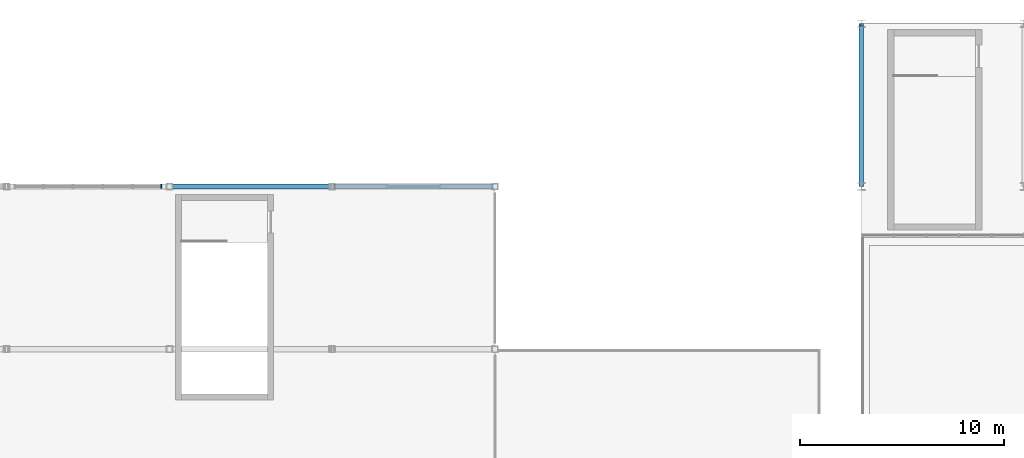
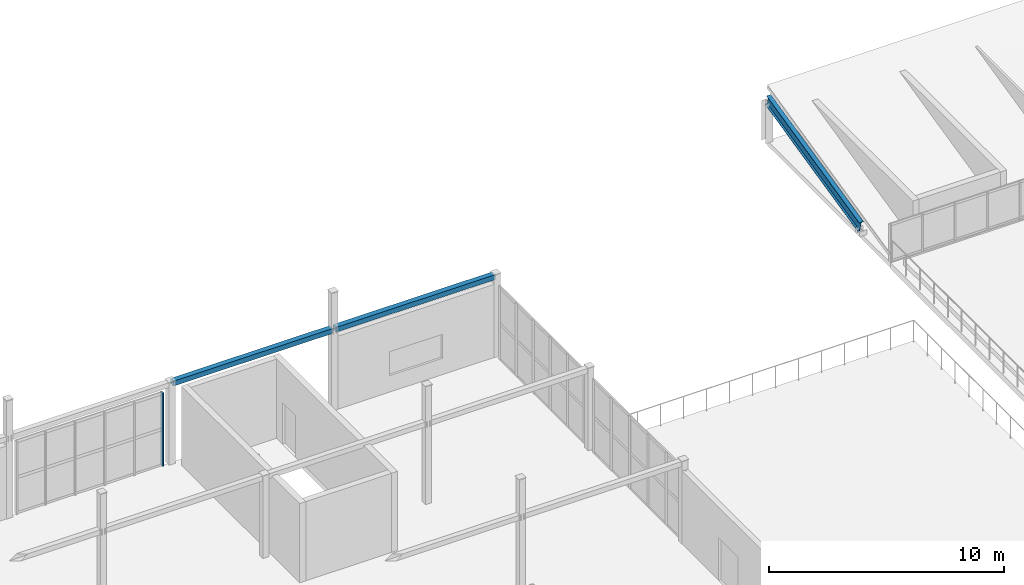
# One storey, part 35 of 83: 3 members, 1 beam, 1 element without a shape of its own.
"""IFC4 building model written with IfcOpenShell, lengths in metres."""

from ifc_helpers import new_model, si_unit, direction, frame, origin, origin_2d, place, context, subcontext, project, spatial, rectangle, hollow_rectangle, i_section, extrude, material, material_profile, profile_set, type_object, element, aggregate, save


model = new_model("IFC4")

# Units and contexts
model_context = context("Model", 3, precision=1e-05, world=origin(), true_north=direction((0.0, 1.0)))
body_context = subcontext(model_context, "Body", "Model", "MODEL_VIEW")
ifc_project = project(units=[si_unit("LENGTHUNIT", "METRE"), si_unit("AREAUNIT", "SQUARE_METRE"), si_unit("VOLUMEUNIT", "CUBIC_METRE"), si_unit("PLANEANGLEUNIT", "RADIAN"), si_unit("MASSUNIT", "GRAM", prefix="KILO")], contexts=[model_context])

# Site, building, storey
site_placement = place(None, origin())
site = spatial("IfcSite", under=ifc_project, at=site_placement, CompositionType="ELEMENT")
building_placement = place(site_placement, origin())
building = spatial("IfcBuilding", under=site, at=building_placement, Name="Drelvath Fold Interchange", CompositionType="ELEMENT")
storey_placement = place(building_placement, frame((0.0, 0.0, 11.199951171875)))
storey = spatial("IfcBuildingStorey", under=building, at=storey_placement, Name="L02", CompositionType="ELEMENT", Elevation=11.199951171875)

# Beam
ifc_material_1 = material(Name="Steel ASTM A992 Grade 50", Category="steel")
ifc_material_profile_1 = material_profile(ifc_material_1, i_section(OverallWidth=0.2099609375, OverallDepth=0.537109375, WebThickness=0.010986328125, FlangeThickness=0.017333984375, at=origin_2d()), Name="W21X68")
ifc_profile_set_1 = profile_set([ifc_material_profile_1], Name="Steel ASTM A992 Grade 50")
beam_type = type_object("IfcBeamType", Name="BM-W21X68", PredefinedType="SPANDREL", material=ifc_profile_set_1)
beam_placement = place(storey_placement, frame((102.0, 99.050048828125, 0.35009765625), z_axis=(0.0, 0.974471835255, 0.224509782181), x_axis=(-1.0, 0.0, 0.0)))
element("IfcBeam", 1, at=beam_placement, inside=storey, type_object=beam_type, Name="Cycle hub sawtooth rafter", PredefinedType="SPANDREL", context=body_context, shape_type="SweptSolid", body=[
    extrude(i_section(OverallWidth=0.2099609375, OverallDepth=0.537109375, WebThickness=0.010986328125, FlangeThickness=0.017333984375, at=origin_2d()), origin(), (0.0, 0.0, 1.0), 8.10693359375),
])

# Members
ifc_material_2 = material(Name="Steel ASTM A500 Grade C", Category="steel")
ifc_material_profile_2 = material_profile(ifc_material_2, hollow_rectangle(XDim=0.25390625, YDim=0.25390625, WallThickness=0.01171875, at=origin_2d()), Name="HSS10X10X1/2")
ifc_profile_set_2 = profile_set([ifc_material_profile_2], Name="Steel ASTM A500 Grade C")
member_type_1 = type_object("IfcMemberType", Name="FP-CHD254", PredefinedType="CHORD", material=ifc_profile_set_2)
for number, where, z_axis, x_axis, name in (
    (2, (68.080078125, 99.0, 4.150146484375), (1.0, 0.0, 0.0), (0.0, 1.0, 0.0), "L02 Folded-plate roof truss tie chord FP-CHD254"),
    (3, (76.080078125, 99.0, 4.150146484375), (1.0, 0.0, 0.0), (0.0, 1.0, 0.0), "L02 Folded-plate roof truss tie chord FP-CHD254"),
):
    element("IfcMember", number, at=place(storey_placement, frame(where, z_axis=z_axis, x_axis=x_axis)), inside=storey, type_object=member_type_1, Name=name, PredefinedType="CHORD", context=body_context, shape_type="SweptSolid", body=[
        extrude(hollow_rectangle(XDim=0.25390625, YDim=0.25390625, WallThickness=0.01171875, at=origin_2d()), origin(), (0.0, 0.0, 1.0), 7.83984375),
    ])

# Curtain wall, member
ifc_material_3 = material(Name="Anodized Aluminium 6063-T6", Category="aluminium")
curtain_wall_type = type_object("IfcCurtainWallType", Name="CW-CON-440", PredefinedType="USERDEFINED", material=ifc_material_3)
curtain_wall_placement = place(storey_placement, origin())
curtain_wall = element("IfcCurtainWall", 4, at=curtain_wall_placement, inside=storey, type_object=curtain_wall_type, Name="Curtain wall CW-V1-L02-N60", ObjectType="UNITISED CURTAIN WALL", PredefinedType="USERDEFINED")
ifc_material_profile_3 = material_profile(ifc_material_3, rectangle(XDim=0.06494140625, YDim=0.18994140625, at=origin_2d()), Name="AL-M 65x190")
ifc_profile_set_3 = profile_set([ifc_material_profile_3], Name="Anodized Aluminium 6063-T6")
member_type_2 = type_object("IfcMemberType", Name="ML-190", PredefinedType="MULLION", material=ifc_profile_set_3)
member_placement = place(storey_placement, frame((67.60009765625, 99.0, 0.0), z_axis=(0.0, 0.0, 1.0), x_axis=(1.0, 0.0, 0.0)))
member = element("IfcMember", 5, at=member_placement, type_object=member_type_2, Name="CW-V1-L02-N60 mullion 5", PredefinedType="MULLION", context=body_context, shape_type="SweptSolid", body=[
    extrude(rectangle(XDim=0.06494140625, YDim=0.18994140625, at=origin_2d()), origin(), (0.0, 0.0, 1.0), 3.800048828125),
])
aggregate(curtain_wall, [member])

save(model, "model.ifc")
